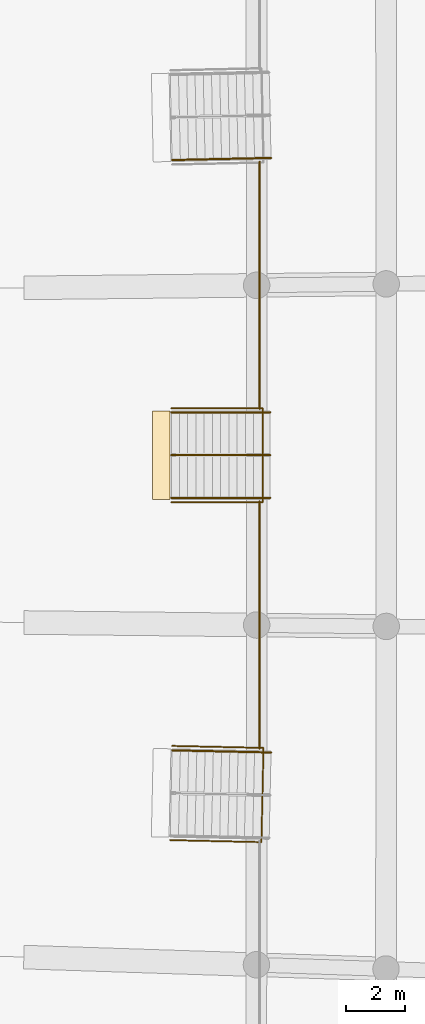
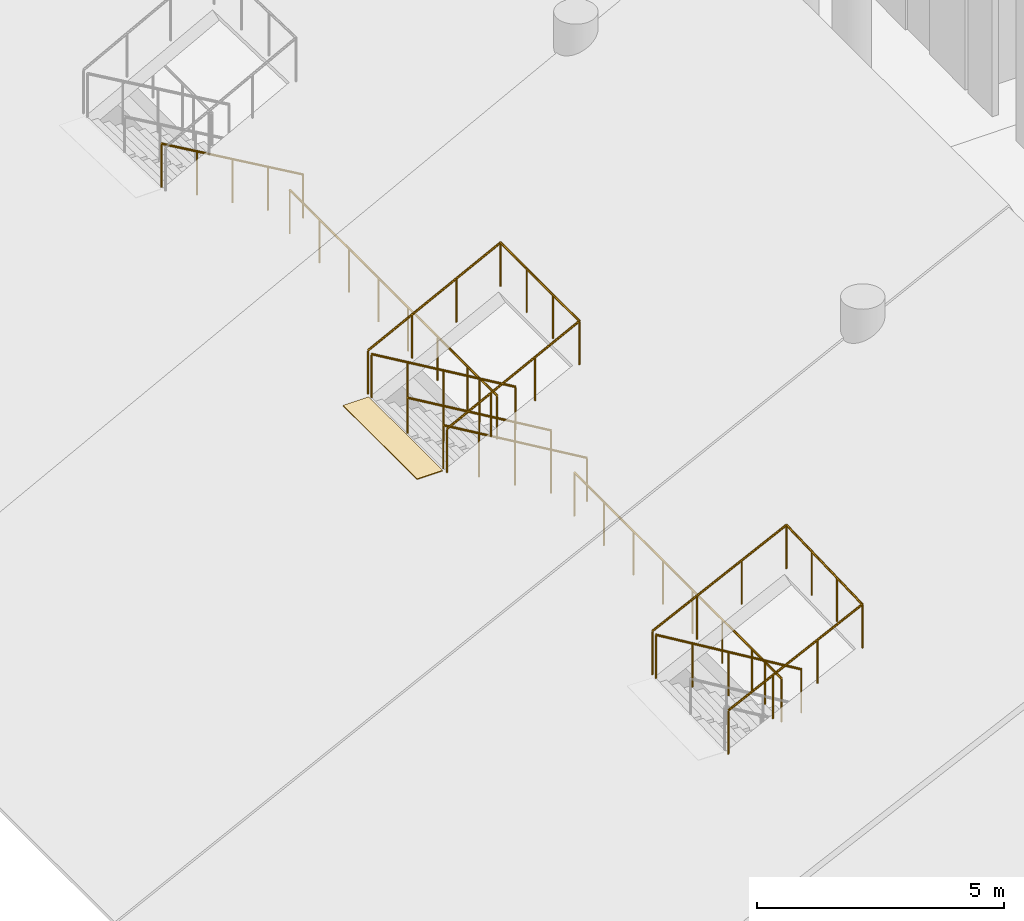
# One storey, part 217 of 255: 9 railings, 1 covering.
"""IFC4 building model written with IfcOpenShell, lengths in metres."""

from ifc_helpers import new_model, si_unit, direction, frame, origin, origin_2d, place, context, subcontext, project, spatial, rectangle, circle, extrude, material, layer, layer_set, type_object, element, save


model = new_model("IFC4")

# Units and contexts
model_context = context("Model", 3, precision=1e-05, world=origin(), true_north=direction((0.0, 1.0)))
body_context = subcontext(model_context, "Body", "Model", "MODEL_VIEW")
ifc_project = project(units=[si_unit("LENGTHUNIT", "METRE"), si_unit("AREAUNIT", "SQUARE_METRE"), si_unit("VOLUMEUNIT", "CUBIC_METRE"), si_unit("PLANEANGLEUNIT", "RADIAN"), si_unit("MASSUNIT", "GRAM", prefix="KILO")], contexts=[model_context])

# Site, building, storey
site_placement = place(None, origin())
site = spatial("IfcSite", under=ifc_project, at=site_placement, CompositionType="ELEMENT")
building_placement = place(site_placement, origin())
building = spatial("IfcBuilding", under=site, at=building_placement, Name="Meseta Stadium", CompositionType="ELEMENT")
storey_placement = place(building_placement, origin())
storey = spatial("IfcBuildingStorey", under=building, at=storey_placement, Name="L00", CompositionType="ELEMENT", Elevation=0.0)

# Railings
ifc_material_1 = material(Name="Steel S355", Category="steel")
railing_type_1 = type_object("IfcRailingType", Name="Plate edge guard 1100", PredefinedType="GUARDRAIL", material=ifc_material_1)
railing_1_placement = place(storey_placement, frame((54.09765625, -9.966796875, 0.0)))
element("IfcRailing", 1, at=railing_1_placement, inside=storey, type_object=railing_type_1, Name="L00 inner edge guard 5", PredefinedType="GUARDRAIL", context=body_context, shape_type="SweptSolid", body=[
    extrude(circle(Radius=0.02490234375, at=origin_2d()), frame((0.0, 0.0, 1.0751953125), z_axis=(0.000261681147, 0.999999965761, 0.0), x_axis=(-0.999999965761, 0.000261681147, 0.0)), (0.0, 0.0, 1.0), 8.396728515625),
    extrude(circle(Radius=0.02001953125, at=origin_2d()), origin(), (0.0, 0.0, 1.0), 1.050048828125),
    extrude(circle(Radius=0.02001953125, at=origin_2d()), frame((0.000244140625, 1.199462890625, 0.0)), (0.0, 0.0, 1.0), 1.050048828125),
    extrude(circle(Radius=0.02001953125, at=origin_2d()), frame((0.000732421875, 2.399169921875, 0.0)), (0.0, 0.0, 1.0), 1.050048828125),
    extrude(circle(Radius=0.02001953125, at=origin_2d()), frame((0.0009765625, 3.5986328125, 0.0)), (0.0, 0.0, 1.0), 1.050048828125),
    extrude(circle(Radius=0.02001953125, at=origin_2d()), frame((0.001220703125, 4.798095703125, 0.0)), (0.0, 0.0, 1.0), 1.050048828125),
    extrude(circle(Radius=0.02001953125, at=origin_2d()), frame((0.00146484375, 5.99755859375, 0.0)), (0.0, 0.0, 1.0), 1.050048828125),
    extrude(circle(Radius=0.02001953125, at=origin_2d()), frame((0.001953125, 7.197265625, 0.0)), (0.0, 0.0, 1.0), 1.050048828125),
    extrude(circle(Radius=0.02001953125, at=origin_2d()), frame((0.002197265625, 8.396728515625, 0.0)), (0.0, 0.0, 1.0), 1.050048828125),
])
railing_2_placement = place(storey_placement, frame((54.099853515625, 1.570068359375, 0.0)))
element("IfcRailing", 2, at=railing_2_placement, inside=storey, type_object=railing_type_1, Name="L00 inner edge guard 6", PredefinedType="GUARDRAIL", context=body_context, shape_type="SweptSolid", body=[
    extrude(circle(Radius=0.02490234375, at=origin_2d()), frame((0.0, 0.0, 1.0751953125), z_axis=(-0.000261681147, 0.999999965761, 0.0), x_axis=(-0.999999965761, -0.000261681147, 0.0)), (0.0, 0.0, 1.0), 8.396728515625),
    extrude(circle(Radius=0.02001953125, at=origin_2d()), origin(), (0.0, 0.0, 1.0), 1.050048828125),
    extrude(circle(Radius=0.02001953125, at=origin_2d()), frame((-0.000244140625, 1.199462890625, 0.0)), (0.0, 0.0, 1.0), 1.050048828125),
    extrude(circle(Radius=0.02001953125, at=origin_2d()), frame((-0.000732421875, 2.399169921875, 0.0)), (0.0, 0.0, 1.0), 1.050048828125),
    extrude(circle(Radius=0.02001953125, at=origin_2d()), frame((-0.0009765625, 3.5986328125, 0.0)), (0.0, 0.0, 1.0), 1.050048828125),
    extrude(circle(Radius=0.02001953125, at=origin_2d()), frame((-0.001220703125, 4.798095703125, 0.0)), (0.0, 0.0, 1.0), 1.050048828125),
    extrude(circle(Radius=0.02001953125, at=origin_2d()), frame((-0.00146484375, 5.99755859375, 0.0)), (0.0, 0.0, 1.0), 1.050048828125),
    extrude(circle(Radius=0.02001953125, at=origin_2d()), frame((-0.001953125, 7.197265625, 0.0)), (0.0, 0.0, 1.0), 1.050048828125),
    extrude(circle(Radius=0.02001953125, at=origin_2d()), frame((-0.002197265625, 8.396728515625, 0.0)), (0.0, 0.0, 1.0), 1.050048828125),
])

# Covering
ifc_material_2 = material(Name="Stone paving", Category="masonry")
ifc_layer = layer(ifc_material_2, 0.02001953125)
ifc_layer_set = layer_set([ifc_layer], Name="Vomitory exit threshold plate 20")
covering_type = type_object("IfcCoveringType", Name="Vomitory exit threshold plate 20", PredefinedType="FLOORING", material=ifc_layer_set)
covering_placement = place(storey_placement, frame((50.75830078125, 0.0, 2.130615234375), z_axis=(0.0, 0.0, 1.0), x_axis=(-1.0, 0.0, 0.0)))
element("IfcCovering", 3, at=covering_placement, inside=storey, type_object=covering_type, Name="Vomitory V-lower-05 exit threshold", PredefinedType="FLOORING", context=body_context, shape_type="SweptSolid", body=[
    extrude(rectangle(XDim=0.60009765625, YDim=3.0, at=origin_2d()), origin(), (0.0, 0.0, 1.0), 0.02001953125),
])

# Railings
ifc_material_3 = material(Name="Steel S355", Category="steel")
railing_type_2 = type_object("IfcRailingType", Name="Vomitory slot guard 1100", PredefinedType="GUARDRAIL", material=ifc_material_3)
railing_3_placement = place(storey_placement, frame((51.132080078125, -9.871826171875, 2.150634765625)))
element("IfcRailing", 4, at=railing_3_placement, inside=storey, type_object=railing_type_2, Name="Vomitory V-lower-04 slot guard", PredefinedType="GUARDRAIL", context=body_context, shape_type="SweptSolid", body=[
    extrude(circle(Radius=0.02490234375, at=origin_2d()), frame((0.0, 0.0, 1.0751953125), z_axis=(0.890607491186, -0.019504402281, 0.454354349529), x_axis=(0.021894860368, 0.999760278812, 0.0)), (0.0, 0.0, 1.0), 3.479736328125),
    extrude(circle(Radius=0.02490234375, at=origin_2d()), frame((3.09912109375, -0.06787109375, 2.65625), z_axis=(-0.021896458331, -0.999760243815, 0.0), x_axis=(0.999760243815, -0.021896458331, 0.0)), (0.0, 0.0, 1.0), 3.199951171875),
    extrude(circle(Radius=0.02490234375, at=origin_2d()), frame((3.029052734375, -3.26708984375, 2.65625), z_axis=(-0.890607491186, 0.019504402281, -0.454354349529), x_axis=(-0.021894860368, -0.999760278812, 0.0)), (0.0, 0.0, 1.0), 3.479736328125),
    extrude(circle(Radius=0.02001953125, at=origin_2d()), origin(), (0.0, 0.0, 1.0), 1.050048828125),
    extrude(circle(Radius=0.02001953125, at=origin_2d()), frame((1.032958984375, -0.022705078125, 0.527099609375)), (0.0, 0.0, 1.0), 1.050048828125),
    extrude(circle(Radius=0.02001953125, at=origin_2d()), frame((2.066162109375, -0.045166015625, 1.053955078125)), (0.0, 0.0, 1.0), 1.050048828125),
    extrude(circle(Radius=0.02001953125, at=origin_2d()), frame((3.09912109375, -0.06787109375, 1.5810546875)), (0.0, 0.0, 1.0), 1.050048828125),
    extrude(circle(Radius=0.02001953125, at=origin_2d()), frame((3.07568359375, -1.13427734375, 1.5810546875)), (0.0, 0.0, 1.0), 1.050048828125),
    extrude(circle(Radius=0.02001953125, at=origin_2d()), frame((3.052490234375, -2.20068359375, 1.5810546875)), (0.0, 0.0, 1.0), 1.050048828125),
    extrude(circle(Radius=0.02001953125, at=origin_2d()), frame((3.029052734375, -3.26708984375, 1.5810546875)), (0.0, 0.0, 1.0), 1.050048828125),
    extrude(circle(Radius=0.02001953125, at=origin_2d()), frame((1.99609375, -3.244384765625, 1.053955078125)), (0.0, 0.0, 1.0), 1.050048828125),
    extrude(circle(Radius=0.02001953125, at=origin_2d()), frame((0.962890625, -3.221923828125, 0.527099609375)), (0.0, 0.0, 1.0), 1.050048828125),
    extrude(circle(Radius=0.02001953125, at=origin_2d()), frame((-0.070068359375, -3.19921875, 0.0)), (0.0, 0.0, 1.0), 1.050048828125),
])
railing_4_placement = place(storey_placement, frame((51.099365234375, 1.60009765625, 2.150634765625)))
element("IfcRailing", 5, at=railing_4_placement, inside=storey, type_object=railing_type_2, Name="Vomitory V-lower-05 slot guard", PredefinedType="GUARDRAIL", context=body_context, shape_type="SweptSolid", body=[
    extrude(circle(Radius=0.02490234375, at=origin_2d()), frame((0.0, 0.0, 1.0751953125), z_axis=(0.890834888581, 0.0, 0.454327196287), x_axis=(0.0, 1.0, 0.0)), (0.0, 0.0, 1.0), 3.47998046875),
    extrude(circle(Radius=0.02490234375, at=origin_2d()), frame((3.10009765625, 0.0, 2.65625), z_axis=(0.0, -1.0, 0.0), x_axis=(1.0, 0.0, 0.0)), (0.0, 0.0, 1.0), 3.2001953125),
    extrude(circle(Radius=0.02490234375, at=origin_2d()), frame((3.10009765625, -3.2001953125, 2.65625), z_axis=(-0.890834888581, 0.0, -0.454327196287), x_axis=(0.0, -1.0, 0.0)), (0.0, 0.0, 1.0), 3.47998046875),
    extrude(circle(Radius=0.02001953125, at=origin_2d()), origin(), (0.0, 0.0, 1.0), 1.050048828125),
    extrude(circle(Radius=0.02001953125, at=origin_2d()), frame((1.033447265625, 0.0, 0.527099609375)), (0.0, 0.0, 1.0), 1.050048828125),
    extrude(circle(Radius=0.02001953125, at=origin_2d()), frame((2.066650390625, 0.0, 1.053955078125)), (0.0, 0.0, 1.0), 1.050048828125),
    extrude(circle(Radius=0.02001953125, at=origin_2d()), frame((3.10009765625, 0.0, 1.5810546875)), (0.0, 0.0, 1.0), 1.050048828125),
    extrude(circle(Radius=0.02001953125, at=origin_2d()), frame((3.10009765625, -1.066650390625, 1.5810546875)), (0.0, 0.0, 1.0), 1.050048828125),
    extrude(circle(Radius=0.02001953125, at=origin_2d()), frame((3.10009765625, -2.133544921875, 1.5810546875)), (0.0, 0.0, 1.0), 1.050048828125),
    extrude(circle(Radius=0.02001953125, at=origin_2d()), frame((3.10009765625, -3.2001953125, 1.5810546875)), (0.0, 0.0, 1.0), 1.050048828125),
    extrude(circle(Radius=0.02001953125, at=origin_2d()), frame((2.066650390625, -3.2001953125, 1.053955078125)), (0.0, 0.0, 1.0), 1.050048828125),
    extrude(circle(Radius=0.02001953125, at=origin_2d()), frame((1.033447265625, -3.2001953125, 0.527099609375)), (0.0, 0.0, 1.0), 1.050048828125),
    extrude(circle(Radius=0.02001953125, at=origin_2d()), frame((0.0, -3.2001953125, 0.0)), (0.0, 0.0, 1.0), 1.050048828125),
])
ifc_material_4 = material(Name="Steel S355", Category="steel")
railing_type_3 = type_object("IfcRailingType", Name="Vomitory stair guard 1100", PredefinedType="GUARDRAIL", material=ifc_material_4)
railing_5_placement = place(storey_placement, frame((54.48779296875, -10.095458984375, 0.165283203125)))
element("IfcRailing", 6, at=railing_5_placement, inside=storey, type_object=railing_type_3, Name="Vomitory V-lower-04 guard right", PredefinedType="GUARDRAIL", context=body_context, shape_type="SweptSolid", body=[
    extrude(circle(Radius=0.02490234375, at=origin_2d()), frame((0.0, 0.0, 1.0751953125), z_axis=(-0.86071057727, 0.018893341644, 0.508743888236), x_axis=(-0.021945578454, -0.999759166793, 0.0)), (0.0, 0.0, 1.0), 3.90234375),
    extrude(circle(Radius=0.02001953125, at=origin_2d()), origin(), (0.0, 0.0, 1.0), 1.050048828125),
    extrude(circle(Radius=0.02001953125, at=origin_2d()), frame((-0.83984375, 0.0185546875, 0.496337890625)), (0.0, 0.0, 1.0), 1.050048828125),
    extrude(circle(Radius=0.02001953125, at=origin_2d()), frame((-1.679443359375, 0.036865234375, 0.99267578125)), (0.0, 0.0, 1.0), 1.050048828125),
    extrude(circle(Radius=0.02001953125, at=origin_2d()), frame((-2.51904296875, 0.05517578125, 1.489013671875)), (0.0, 0.0, 1.0), 1.050048828125),
    extrude(circle(Radius=0.02001953125, at=origin_2d()), frame((-3.35888671875, 0.07373046875, 1.9853515625)), (0.0, 0.0, 1.0), 1.050048828125),
])
for number, where, name in (
    (7, (54.45947265625, -1.449951171875, 0.165283203125), "Vomitory V-lower-05 guard left"),
    (8, (54.45947265625, 1.449951171875, 0.165283203125), "Vomitory V-lower-05 guard right"),
):
    element("IfcRailing", number, at=place(storey_placement, frame(where)), inside=storey, type_object=railing_type_3, Name=name, PredefinedType="GUARDRAIL", context=body_context, shape_type="SweptSolid", body=[
        extrude(circle(Radius=0.02490234375, at=origin_2d()), frame((0.0, 0.0, 1.0751953125), z_axis=(-0.860945207933, 0.0, 0.508697698969), x_axis=(0.0, -1.0, 0.0)), (0.0, 0.0, 1.0), 3.90283203125),
        extrude(circle(Radius=0.02001953125, at=origin_2d()), origin(), (0.0, 0.0, 1.0), 1.050048828125),
        extrude(circle(Radius=0.02001953125, at=origin_2d()), frame((-0.840087890625, 0.0, 0.496337890625)), (0.0, 0.0, 1.0), 1.050048828125),
        extrude(circle(Radius=0.02001953125, at=origin_2d()), frame((-1.68017578125, 0.0, 0.99267578125)), (0.0, 0.0, 1.0), 1.050048828125),
        extrude(circle(Radius=0.02001953125, at=origin_2d()), frame((-2.52001953125, 0.0, 1.489013671875)), (0.0, 0.0, 1.0), 1.050048828125),
        extrude(circle(Radius=0.02001953125, at=origin_2d()), frame((-3.360107421875, 0.0, 1.9853515625)), (0.0, 0.0, 1.0), 1.050048828125),
    ])
railing_6_placement = place(storey_placement, frame((54.48779296875, 10.095458984375, 0.165283203125)))
element("IfcRailing", 9, at=railing_6_placement, inside=storey, type_object=railing_type_3, Name="Vomitory V-lower-06 guard left", PredefinedType="GUARDRAIL", context=body_context, shape_type="SweptSolid", body=[
    extrude(circle(Radius=0.02490234375, at=origin_2d()), frame((0.0, 0.0, 1.0751953125), z_axis=(-0.86071057727, -0.018893341644, 0.508743888236), x_axis=(0.021945578454, -0.999759166793, 0.0)), (0.0, 0.0, 1.0), 3.90234375),
    extrude(circle(Radius=0.02001953125, at=origin_2d()), origin(), (0.0, 0.0, 1.0), 1.050048828125),
    extrude(circle(Radius=0.02001953125, at=origin_2d()), frame((-0.83984375, -0.0185546875, 0.496337890625)), (0.0, 0.0, 1.0), 1.050048828125),
    extrude(circle(Radius=0.02001953125, at=origin_2d()), frame((-1.679443359375, -0.036865234375, 0.99267578125)), (0.0, 0.0, 1.0), 1.050048828125),
    extrude(circle(Radius=0.02001953125, at=origin_2d()), frame((-2.51904296875, -0.05517578125, 1.489013671875)), (0.0, 0.0, 1.0), 1.050048828125),
    extrude(circle(Radius=0.02001953125, at=origin_2d()), frame((-3.35888671875, -0.07373046875, 1.9853515625)), (0.0, 0.0, 1.0), 1.050048828125),
])
ifc_material_5 = material(Name="Steel S355", Category="steel")
railing_type_4 = type_object("IfcRailingType", Name="Vomitory stair handrail 900", PredefinedType="HANDRAIL", material=ifc_material_5)
railing_7_placement = place(storey_placement, frame((54.45947265625, 0.0, 0.165283203125)))
element("IfcRailing", 10, at=railing_7_placement, inside=storey, type_object=railing_type_4, Name="Vomitory V-lower-05 central handrail", PredefinedType="HANDRAIL", context=body_context, shape_type="SweptSolid", body=[
    extrude(circle(Radius=0.02490234375, at=origin_2d()), frame((0.0, 0.0, 0.875), z_axis=(-0.860945207933, 0.0, 0.508697698969), x_axis=(0.0, -1.0, 0.0)), (0.0, 0.0, 1.0), 3.90283203125),
    extrude(circle(Radius=0.02001953125, at=origin_2d()), origin(), (0.0, 0.0, 1.0), 0.849853515625),
    extrude(circle(Radius=0.02001953125, at=origin_2d()), frame((-0.840087890625, 0.0, 0.496337890625)), (0.0, 0.0, 1.0), 0.849853515625),
    extrude(circle(Radius=0.02001953125, at=origin_2d()), frame((-1.68017578125, 0.0, 0.99267578125)), (0.0, 0.0, 1.0), 0.849853515625),
    extrude(circle(Radius=0.02001953125, at=origin_2d()), frame((-2.52001953125, 0.0, 1.489013671875)), (0.0, 0.0, 1.0), 0.849853515625),
    extrude(circle(Radius=0.02001953125, at=origin_2d()), frame((-3.360107421875, 0.0, 1.9853515625)), (0.0, 0.0, 1.0), 0.849853515625),
])

save(model, "model.ifc")
